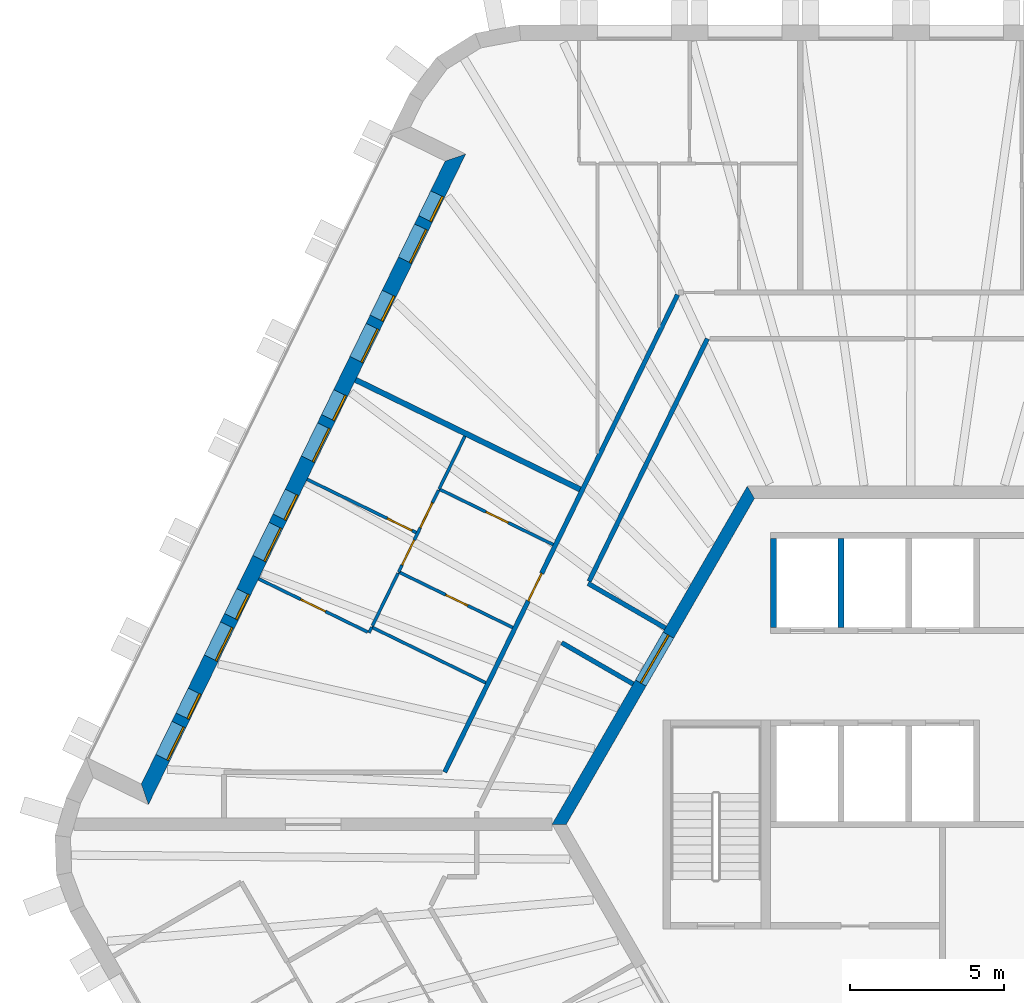
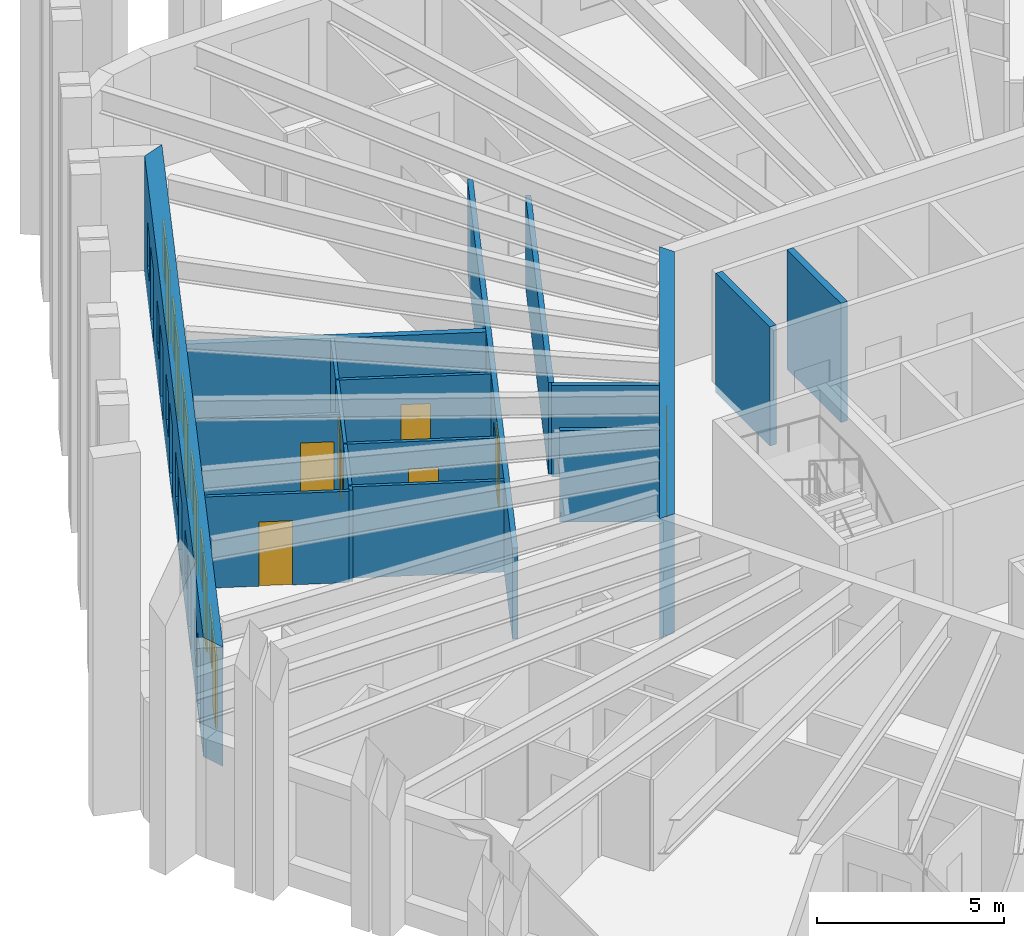
# One storey, part 8 of 13: 18 walls, 14 doors, 6 windows, 20 openings.
"""IFC4 building model written with IfcOpenShell, lengths in metres."""

from ifc_helpers import new_model, si_unit, direction, frame, frame_2d, origin, place, context, subcontext, project, spatial, polyline, rectangle, outline, extrude, material, layer, layer_set, type_object, element, fill, save


model = new_model("IFC4")

# Units and contexts
model_context = context("Model", 3, precision=1e-05, world=origin(), true_north=direction((0.0, 1.0)))
body_context = subcontext(model_context, "Body", "Model", "MODEL_VIEW")
ifc_project = project(units=[si_unit("LENGTHUNIT", "METRE"), si_unit("AREAUNIT", "SQUARE_METRE"), si_unit("VOLUMEUNIT", "CUBIC_METRE"), si_unit("PLANEANGLEUNIT", "RADIAN"), si_unit("MASSUNIT", "GRAM", prefix="KILO")], contexts=[model_context])

# Site, building, storey
site_placement = place(None, origin())
site = spatial("IfcSite", under=ifc_project, at=site_placement, CompositionType="ELEMENT")
building_placement = place(site_placement, origin())
building = spatial("IfcBuilding", under=site, at=building_placement, Name="Tarnside Tower", CompositionType="ELEMENT")
storey_placement = place(building_placement, frame((0.0, 0.0, 279.60009765625)))
storey = spatial("IfcBuildingStorey", under=building, at=storey_placement, Name="L67", CompositionType="ELEMENT", Elevation=279.60009765625)

# Wall
ifc_material_1 = material(Name="Gypsum board partition on steel studs", Category="steel")
ifc_layer_1 = layer(ifc_material_1, 0.10009765625)
ifc_layer_set_1 = layer_set([ifc_layer_1], Name="Bathroom wall 100")
wall_type_1 = type_object("IfcWallType", Name="Bathroom wall 100", PredefinedType="PARTITIONING", material=ifc_layer_set_1)
wall_1_placement = place(storey_placement, frame((-14.860107421875, 4.60498046875, 0.0), z_axis=(0.0, 0.0, 1.0), x_axis=(-0.898787215731, 0.438385151252, 0.0)))
element("IfcWall", 1, at=wall_1_placement, inside=storey, type_object=wall_type_1, Name="Bathroom wall 22109", PredefinedType="PARTITIONING", context=body_context, shape_type="SweptSolid", body=[
    extrude(rectangle(XDim=4.125, YDim=0.10009765625, at=frame_2d((2.0625, 0.0))), origin(), (0.0, 0.0, 1.0), 2.98779296875),
])

# Wall, opening, door
wall_2_placement = place(storey_placement, frame((-12.66845703125, 9.09912109375, 0.0), z_axis=(0.0, 0.0, 1.0), x_axis=(-0.898810534939, 0.438337338454, 0.0)))
wall_2 = element("IfcWall", 2, at=wall_2_placement, inside=storey, type_object=wall_type_1, Name="Bathroom wall 22110", PredefinedType="PARTITIONING", context=body_context, shape_type="SweptSolid", body=[
    extrude(rectangle(XDim=4.125, YDim=0.10009765625, at=frame_2d((2.0625, 0.0))), origin(), (0.0, 0.0, 1.0), 2.98779296875),
])
opening_1_placement = place(wall_2_placement, frame((1.625, 0.0, 0.0)))
opening_1 = element("IfcOpeningElement", 3, at=opening_1_placement, cuts=wall_2, Name="Opening D-B1", PredefinedType="OPENING", context=body_context, shape_type="SweptSolid", body=[
    extrude(rectangle(XDim=0.800048828125, YDim=2.10009765625, at=frame_2d((0.39990234375, 1.050048828125))), frame((0.0, 0.06005859375, 0.0), z_axis=(0.0, -1.0, 0.0), x_axis=(1.0, 0.0, 0.0)), (0.0, 0.0, 1.0), 0.1201171875),
])
ifc_material_2 = material(Name="Timber door leaf", Category="wood")
door_type_1 = type_object("IfcDoorType", Name="Bathroom door 800", OperationType="NOTDEFINED", PredefinedType="DOOR", material=ifc_material_2)
door_1_placement = place(opening_1_placement, origin())
door_1 = element("IfcDoor", 4, at=door_1_placement, inside=storey, type_object=door_type_1, Name="Bathroom door 22022", OperationType="SINGLE_SWING_RIGHT", OverallHeight=2.10009765625, OverallWidth=0.800048828125, PredefinedType="DOOR", context=body_context, shape_type="SweptSolid", body=[
    extrude(rectangle(XDim=0.800048828125, YDim=2.10009765625, at=frame_2d((0.39990234375, 1.050048828125))), frame((0.0, 0.02490234375, 0.0), z_axis=(0.0, -1.0, 0.0), x_axis=(1.0, 0.0, 0.0)), (0.0, 0.0, 1.0), 0.050048828125),
])
fill(opening_1, door_1)

wall_3_placement = place(storey_placement, frame((-17.69091796875, 8.2109375, 0.0), z_axis=(0.0, 0.0, 1.0), x_axis=(0.898787215731, -0.438385151252, 0.0)))
wall_3 = element("IfcWall", 5, at=wall_3_placement, inside=storey, type_object=wall_type_1, Name="Bathroom wall 22113", PredefinedType="PARTITIONING", context=body_context, shape_type="SweptSolid", body=[
    extrude(rectangle(XDim=4.125, YDim=0.10009765625, at=frame_2d((2.0625, 0.0))), origin(), (0.0, 0.0, 1.0), 2.98779296875),
])
opening_2_placement = place(wall_3_placement, frame((1.699951171875, 0.0, 0.0)))
opening_2 = element("IfcOpeningElement", 6, at=opening_2_placement, cuts=wall_3, Name="Opening D-B1", PredefinedType="OPENING", context=body_context, shape_type="SweptSolid", body=[
    extrude(rectangle(XDim=0.800048828125, YDim=2.10009765625, at=frame_2d((0.39990234375, 1.050048828125))), frame((0.0, 0.06005859375, 0.0), z_axis=(0.0, -1.0, 0.0), x_axis=(1.0, 0.0, 0.0)), (0.0, 0.0, 1.0), 0.1201171875),
])
door_2_placement = place(opening_2_placement, origin())
door_2 = element("IfcDoor", 7, at=door_2_placement, inside=storey, type_object=door_type_1, Name="Bathroom door 22029", OperationType="SINGLE_SWING_LEFT", OverallHeight=2.10009765625, OverallWidth=0.800048828125, PredefinedType="DOOR", context=body_context, shape_type="SweptSolid", body=[
    extrude(rectangle(XDim=0.800048828125, YDim=2.10009765625, at=frame_2d((0.39990234375, 1.050048828125))), frame((0.0, 0.02490234375, 0.0), z_axis=(0.0, -1.0, 0.0), x_axis=(1.0, 0.0, 0.0)), (0.0, 0.0, 1.0), 0.050048828125),
])
fill(opening_2, door_2)

# Walls
wall_4_placement = place(storey_placement, frame((-15.53857421875, 12.6240234375, 0.0), z_axis=(0.0, 0.0, 1.0), x_axis=(-0.438355705964, -0.898801577128, 0.0)))
element("IfcWall", 8, at=wall_4_placement, inside=storey, type_object=wall_type_1, Name="Bathroom wall 22114", PredefinedType="PARTITIONING", context=body_context, shape_type="SweptSolid", body=[
    extrude(rectangle(XDim=1.912109375, YDim=0.10009765625, at=frame_2d((0.9560546875, 0.0))), origin(), (0.0, 0.0, 1.0), 2.98779296875),
])
wall_5_placement = place(storey_placement, frame((-18.5458984375, 6.458251953125, 0.0), z_axis=(0.0, 0.0, 1.0), x_axis=(0.43840337997, 0.898778324411, 0.0)))
element("IfcWall", 9, at=wall_5_placement, inside=storey, type_object=wall_type_1, Name="Bathroom wall 22116", PredefinedType="PARTITIONING", context=body_context, shape_type="SweptSolid", body=[
    extrude(rectangle(XDim=1.900146484375, YDim=0.10009765625, at=frame_2d((0.9501953125, 0.0))), origin(), (0.0, 0.0, 1.0), 2.98779296875),
])

# Wall, opening, door
ifc_material_3 = material(Name="Concrete C60/75", Category="concrete")
ifc_layer_2 = layer(ifc_material_3, 0.39990234375)
ifc_layer_set_2 = layer_set([ifc_layer_2], Name="Core wall Z3 400 C60/75")
wall_type_2 = type_object("IfcWallType", Name="Core wall Z3 400 C60/75", PredefinedType="SHEAR", material=ifc_layer_set_2)
wall_6_placement = place(storey_placement, frame((-6.2353515625, 10.800048828125, -0.150146484375), z_axis=(0.0, 0.0, 1.0), x_axis=(-0.499996419489, -0.866027470984, 0.0)))
wall_6 = element("IfcWall", 10, at=wall_6_placement, inside=storey, type_object=wall_type_2, Name="L67 core wall face 2", PredefinedType="SHEAR", context=body_context, shape_type="SweptSolid", body=[
    extrude(outline(polyline([(-0.115478515625, -0.199951171875), (12.586181640625, -0.199951171875), (12.355224609375, 0.199951171875), (0.115478515625, 0.199951171875), (-0.115478515625, -0.199951171875)])), origin(), (0.0, 0.0, 1.0), 3.900146484375),
])
opening_3_placement = place(wall_6_placement, frame((5.3642578125, 0.0, 0.14990234375)))
opening_3 = element("IfcOpeningElement", 11, at=opening_3_placement, cuts=wall_6, Name="Opening CD-LOB", PredefinedType="OPENING", context=body_context, shape_type="SweptSolid", body=[
    extrude(rectangle(XDim=1.800048828125, YDim=2.39990234375, at=frame_2d((0.89990234375, 1.199951171875))), frame((0.0, 0.2099609375, 0.0), z_axis=(0.0, -1.0, 0.0), x_axis=(1.0, 0.0, 0.0)), (0.0, 0.0, 1.0), 0.419921875),
])
ifc_material_4 = material(Name="Steel fire door", Category="steel")
door_type_2 = type_object("IfcDoorType", Name="Lobby double door FD30S 1800x2400", OperationType="NOTDEFINED", PredefinedType="DOOR", material=ifc_material_4)
door_3_placement = place(opening_3_placement, origin())
door_3 = element("IfcDoor", 12, at=door_3_placement, inside=storey, type_object=door_type_2, Name="L67 core door P1", OperationType="DOUBLE_DOOR_SINGLE_SWING", OverallHeight=2.39990234375, OverallWidth=1.800048828125, PredefinedType="DOOR", context=body_context, shape_type="SweptSolid", body=[
    extrude(rectangle(XDim=1.800048828125, YDim=2.39990234375, at=frame_2d((0.89990234375, 1.199951171875))), frame((0.0, 0.02490234375, 0.0), z_axis=(0.0, -1.0, 0.0), x_axis=(1.0, 0.0, 0.0)), (0.0, 0.0, 1.0), 0.050048828125),
])
fill(opening_3, door_3)

ifc_layer_3 = layer(ifc_material_1, 0.14990234375)
ifc_layer_set_3 = layer_set([ifc_layer_3], Name="Corridor wall 150 EI 60")
wall_type_3 = type_object("IfcWallType", Name="Corridor wall 150 EI 60", PredefinedType="PARTITIONING", material=ifc_layer_set_3)
wall_7_placement = place(storey_placement, frame((-8.62158203125, 17.22509765625, 0.0), z_axis=(0.0, 0.0, 1.0), x_axis=(-0.438366544921, -0.898796290765, 0.0)))
wall_7 = element("IfcWall", 13, at=wall_7_placement, inside=storey, type_object=wall_type_3, Name="Corridor wall 22009", PredefinedType="PARTITIONING", context=body_context, shape_type="SweptSolid", body=[
    extrude(rectangle(XDim=17.273193359375, YDim=0.14990234375, at=frame_2d((8.63671875, 0.0))), origin(), (0.0, 0.0, 1.0), 2.98779296875),
])
opening_4_placement = place(wall_7_placement, frame((10.07763671875, 0.0, 0.0)))
opening_4 = element("IfcOpeningElement", 14, at=opening_4_placement, cuts=wall_7, Name="Opening D-E1", PredefinedType="OPENING", context=body_context, shape_type="SweptSolid", body=[
    extrude(rectangle(XDim=1.0, YDim=2.10009765625, at=frame_2d((0.5, 1.050048828125))), frame((0.0, 0.0849609375, 0.0), z_axis=(0.0, -1.0, 0.0), x_axis=(1.0, 0.0, 0.0)), (0.0, 0.0, 1.0), 0.169921875),
])
door_type_3 = type_object("IfcDoorType", Name="Unit entrance door 1000 FD30S", OperationType="NOTDEFINED", PredefinedType="DOOR", material=ifc_material_2)
door_4_placement = place(opening_4_placement, origin())
door_4 = element("IfcDoor", 15, at=door_4_placement, inside=storey, type_object=door_type_3, Name="Unit door 22021", OperationType="SINGLE_SWING_LEFT", OverallHeight=2.10009765625, OverallWidth=1.0, PredefinedType="DOOR", context=body_context, shape_type="SweptSolid", body=[
    extrude(rectangle(XDim=1.0, YDim=2.10009765625, at=frame_2d((0.5, 1.050048828125))), frame((0.0, 0.02490234375, 0.0), z_axis=(0.0, -1.0, 0.0), x_axis=(1.0, 0.0, 0.0)), (0.0, 0.0, 1.0), 0.050048828125),
])
fill(opening_4, door_4)

# Walls
wall_8_placement = place(storey_placement, frame((-9.015625, 6.38427734375, 0.0), z_axis=(0.0, 0.0, 1.0), x_axis=(-0.866010648346, 0.500025556299, 0.0)))
element("IfcWall", 16, at=wall_8_placement, inside=storey, type_object=wall_type_3, Name="Corridor wall 22020", PredefinedType="PARTITIONING", context=body_context, shape_type="SweptSolid", body=[
    extrude(rectangle(XDim=2.905029296875, YDim=0.14990234375, at=frame_2d((1.45263671875, 0.0))), origin(), (0.0, 0.0, 1.0), 2.98779296875),
])
wall_9_placement = place(storey_placement, frame((-11.49853515625, 7.904541015625, 0.0), z_axis=(0.0, 0.0, 1.0), x_axis=(0.438365041944, 0.898797023805, 0.0)))
element("IfcWall", 17, at=wall_9_placement, inside=storey, type_object=wall_type_3, Name="Corridor wall 22021", PredefinedType="PARTITIONING", context=body_context, shape_type="SweptSolid", body=[
    extrude(rectangle(XDim=8.784423828125, YDim=0.14990234375, at=frame_2d((4.39208984375, 0.0))), origin(), (0.0, 0.0, 1.0), 2.98779296875),
])
wall_10_placement = place(storey_placement, frame((-12.389404296875, 5.9072265625, 0.0), z_axis=(0.0, 0.0, 1.0), x_axis=(0.866034066097, -0.499984996134, 0.0)))
element("IfcWall", 18, at=wall_10_placement, inside=storey, type_object=wall_type_3, Name="Corridor wall 22028", PredefinedType="PARTITIONING", context=body_context, shape_type="SweptSolid", body=[
    extrude(rectangle(XDim=2.68310546875, YDim=0.14990234375, at=frame_2d((1.341552734375, 0.0))), origin(), (0.0, 0.0, 1.0), 2.98779296875),
])
ifc_layer_4 = layer(ifc_material_1, 0.179931640625)
ifc_layer_set_4 = layer_set([ifc_layer_4], Name="Demising wall 180 EI 60")
wall_type_4 = type_object("IfcWallType", Name="Demising wall 180 EI 60", PredefinedType="PARTITIONING", material=ifc_layer_set_4)
wall_11_placement = place(storey_placement, frame((-19.09423828125, 14.45849609375, 0.0), z_axis=(0.0, 0.0, 1.0), x_axis=(0.898794723364, -0.438369758597, 0.0)))
element("IfcWall", 19, at=wall_11_placement, inside=storey, type_object=wall_type_4, Name="Demising wall 22098", PredefinedType="PARTITIONING", context=body_context, shape_type="SweptSolid", body=[
    extrude(rectangle(XDim=8.125, YDim=0.179931640625, at=frame_2d((4.0625, 0.0))), origin(), (0.0, 0.0, 1.0), 2.98779296875),
])
ifc_material_5 = material(Name="Concrete C40/50", Category="concrete")
ifc_layer_5 = layer(ifc_material_5, 0.199951171875)
ifc_layer_set_5 = layer_set([ifc_layer_5], Name="Lift shaft wall 200 C40/50")
wall_type_5 = type_object("IfcWallType", Name="Lift shaft wall 200 C40/50", PredefinedType="SHEAR", material=ifc_layer_set_5)
for number, where, z_axis, x_axis, name in (
    (20, (-5.5, 6.39990234375, -0.25), (0.0, 0.0, 1.0), (0.0, 1.0, 0.0), "L67 lift shaft partition R11"),
    (21, (-3.300048828125, 6.39990234375, -0.25), (0.0, 0.0, 1.0), (0.0, 1.0, 0.0), "L67 lift shaft partition R12"),
):
    element("IfcWall", number, at=place(storey_placement, frame(where, z_axis=z_axis, x_axis=x_axis)), inside=storey, type_object=wall_type_5, Name=name, PredefinedType="SHEAR", context=body_context, shape_type="SweptSolid", body=[
        extrude(rectangle(XDim=2.900146484375, YDim=0.199951171875, at=frame_2d((1.4501953125, 0.0))), origin(), (0.0, 0.0, 1.0), 3.89990234375),
    ])

# Wall, openings, doors, windows
ifc_material_6 = material(Name="Dark zinc cladding")
ifc_layer_6 = layer(ifc_material_6, 0.10205078125)
ifc_material_7 = material(Name="Concrete C60/75 precast", Category="concrete")
ifc_layer_7 = layer(ifc_material_7, 0.298095703125)
ifc_material_8 = material(Name="Mineral wool insulation")
ifc_layer_8 = layer(ifc_material_8, 0.10009765625)
ifc_layer_set_6 = layer_set([ifc_layer_6, ifc_layer_7, ifc_layer_8], Name="Loggia wall 500 zinc faced")
wall_type_6 = type_object("IfcWallType", Name="Loggia wall 500 zinc faced", PredefinedType="SOLIDWALL", material=ifc_layer_set_6)
wall_12_placement = place(storey_placement, frame((-15.845947265625, 21.6884765625, -0.150146484375), z_axis=(0.0, 0.0, 1.0), x_axis=(-0.438377502627, -0.898790946322, 0.0)))
wall_12 = element("IfcWall", 22, at=wall_12_placement, inside=storey, type_object=wall_type_6, Name="Tube wall L67 F2 back 06", PredefinedType="SOLIDWALL", context=body_context, shape_type="SweptSolid", body=[
    extrude(outline(polyline([(0.25, -0.25), (22.794677734375, -0.25), (23.294677734375, 0.25), (-0.25, 0.25), (0.25, -0.25)])), origin(), (0.0, 0.0, 1.0), 3.900146484375),
])
opening_5_placement = place(wall_12_placement, frame((1.322509765625, 0.0, 1.050048828125)))
opening_5 = element("IfcOpeningElement", 23, at=opening_5_placement, cuts=wall_12, Name="Opening WL500", PredefinedType="OPENING", context=body_context, shape_type="SweptSolid", body=[
    extrude(rectangle(XDim=0.89990234375, YDim=1.5, at=frame_2d((0.449951171875, 0.75))), frame((0.0, 0.260009765625, 0.0), z_axis=(0.0, -1.0, 0.0), x_axis=(1.0, 0.0, 0.0)), (0.0, 0.0, 1.0), 0.52001953125),
])
opening_6_placement = place(wall_12_placement, frame((2.5224609375, 0.0, 0.14990234375)))
opening_6 = element("IfcOpeningElement", 24, at=opening_6_placement, cuts=wall_12, Name="Opening DB500", PredefinedType="OPENING", context=body_context, shape_type="SweptSolid", body=[
    extrude(rectangle(XDim=1.199951171875, YDim=2.39990234375, at=frame_2d((0.60009765625, 1.199951171875))), frame((0.0, 0.260009765625, 0.0), z_axis=(0.0, -1.0, 0.0), x_axis=(1.0, 0.0, 0.0)), (0.0, 0.0, 1.0), 0.52001953125),
])
opening_7_placement = place(wall_12_placement, frame((4.92236328125, 0.0, 1.050048828125)))
opening_7 = element("IfcOpeningElement", 25, at=opening_7_placement, cuts=wall_12, Name="Opening WL500", PredefinedType="OPENING", context=body_context, shape_type="SweptSolid", body=[
    extrude(rectangle(XDim=0.89990234375, YDim=1.5, at=frame_2d((0.449951171875, 0.75))), frame((0.0, 0.260009765625, 0.0), z_axis=(0.0, -1.0, 0.0), x_axis=(1.0, 0.0, 0.0)), (0.0, 0.0, 1.0), 0.52001953125),
])
opening_8_placement = place(wall_12_placement, frame((6.122314453125, 0.0, 0.14990234375)))
opening_8 = element("IfcOpeningElement", 26, at=opening_8_placement, cuts=wall_12, Name="Opening DB500", PredefinedType="OPENING", context=body_context, shape_type="SweptSolid", body=[
    extrude(rectangle(XDim=1.199951171875, YDim=2.39990234375, at=frame_2d((0.60009765625, 1.199951171875))), frame((0.0, 0.260009765625, 0.0), z_axis=(0.0, -1.0, 0.0), x_axis=(1.0, 0.0, 0.0)), (0.0, 0.0, 1.0), 0.52001953125),
])
opening_9_placement = place(wall_12_placement, frame((8.5224609375, 0.0, 1.050048828125)))
opening_9 = element("IfcOpeningElement", 27, at=opening_9_placement, cuts=wall_12, Name="Opening WL500", PredefinedType="OPENING", context=body_context, shape_type="SweptSolid", body=[
    extrude(rectangle(XDim=0.89990234375, YDim=1.5, at=frame_2d((0.449951171875, 0.75))), frame((0.0, 0.260009765625, 0.0), z_axis=(0.0, -1.0, 0.0), x_axis=(1.0, 0.0, 0.0)), (0.0, 0.0, 1.0), 0.52001953125),
])
opening_10_placement = place(wall_12_placement, frame((9.722412109375, 0.0, 0.14990234375)))
opening_10 = element("IfcOpeningElement", 28, at=opening_10_placement, cuts=wall_12, Name="Opening DB500", PredefinedType="OPENING", context=body_context, shape_type="SweptSolid", body=[
    extrude(rectangle(XDim=1.199951171875, YDim=2.39990234375, at=frame_2d((0.60009765625, 1.199951171875))), frame((0.0, 0.260009765625, 0.0), z_axis=(0.0, -1.0, 0.0), x_axis=(1.0, 0.0, 0.0)), (0.0, 0.0, 1.0), 0.52001953125),
])
opening_11_placement = place(wall_12_placement, frame((12.122314453125, 0.0, 1.050048828125)))
opening_11 = element("IfcOpeningElement", 29, at=opening_11_placement, cuts=wall_12, Name="Opening WL500", PredefinedType="OPENING", context=body_context, shape_type="SweptSolid", body=[
    extrude(rectangle(XDim=0.89990234375, YDim=1.5, at=frame_2d((0.449951171875, 0.75))), frame((0.0, 0.260009765625, 0.0), z_axis=(0.0, -1.0, 0.0), x_axis=(1.0, 0.0, 0.0)), (0.0, 0.0, 1.0), 0.52001953125),
])
opening_12_placement = place(wall_12_placement, frame((13.322509765625, 0.0, 0.14990234375)))
opening_12 = element("IfcOpeningElement", 30, at=opening_12_placement, cuts=wall_12, Name="Opening DB500", PredefinedType="OPENING", context=body_context, shape_type="SweptSolid", body=[
    extrude(rectangle(XDim=1.199951171875, YDim=2.39990234375, at=frame_2d((0.60009765625, 1.199951171875))), frame((0.0, 0.260009765625, 0.0), z_axis=(0.0, -1.0, 0.0), x_axis=(1.0, 0.0, 0.0)), (0.0, 0.0, 1.0), 0.52001953125),
])
opening_13_placement = place(wall_12_placement, frame((15.722412109375, 0.0, 1.050048828125)))
opening_13 = element("IfcOpeningElement", 31, at=opening_13_placement, cuts=wall_12, Name="Opening WL500", PredefinedType="OPENING", context=body_context, shape_type="SweptSolid", body=[
    extrude(rectangle(XDim=0.89990234375, YDim=1.5, at=frame_2d((0.449951171875, 0.75))), frame((0.0, 0.260009765625, 0.0), z_axis=(0.0, -1.0, 0.0), x_axis=(1.0, 0.0, 0.0)), (0.0, 0.0, 1.0), 0.52001953125),
])
opening_14_placement = place(wall_12_placement, frame((16.92236328125, 0.0, 0.14990234375)))
opening_14 = element("IfcOpeningElement", 32, at=opening_14_placement, cuts=wall_12, Name="Opening DB500", PredefinedType="OPENING", context=body_context, shape_type="SweptSolid", body=[
    extrude(rectangle(XDim=1.199951171875, YDim=2.39990234375, at=frame_2d((0.60009765625, 1.199951171875))), frame((0.0, 0.260009765625, 0.0), z_axis=(0.0, -1.0, 0.0), x_axis=(1.0, 0.0, 0.0)), (0.0, 0.0, 1.0), 0.52001953125),
])
opening_15_placement = place(wall_12_placement, frame((19.322509765625, 0.0, 1.050048828125)))
opening_15 = element("IfcOpeningElement", 33, at=opening_15_placement, cuts=wall_12, Name="Opening WL500", PredefinedType="OPENING", context=body_context, shape_type="SweptSolid", body=[
    extrude(rectangle(XDim=0.89990234375, YDim=1.5, at=frame_2d((0.449951171875, 0.75))), frame((0.0, 0.260009765625, 0.0), z_axis=(0.0, -1.0, 0.0), x_axis=(1.0, 0.0, 0.0)), (0.0, 0.0, 1.0), 0.52001953125),
])
opening_16_placement = place(wall_12_placement, frame((20.5224609375, 0.0, 0.14990234375)))
opening_16 = element("IfcOpeningElement", 34, at=opening_16_placement, cuts=wall_12, Name="Opening DB500", PredefinedType="OPENING", context=body_context, shape_type="SweptSolid", body=[
    extrude(rectangle(XDim=1.199951171875, YDim=2.39990234375, at=frame_2d((0.60009765625, 1.199951171875))), frame((0.0, 0.260009765625, 0.0), z_axis=(0.0, -1.0, 0.0), x_axis=(1.0, 0.0, 0.0)), (0.0, 0.0, 1.0), 0.52001953125),
])
ifc_material_9 = material(Name="Aluminium-framed double glazing", Category="aluminium")
door_type_4 = type_object("IfcDoorType", Name="Balcony sliding door 1200 x 2400 in 500 wall", OperationType="SLIDING_TO_LEFT", PredefinedType="DOOR", material=ifc_material_9)
door_5_placement = place(opening_6_placement, frame((0.0, 0.1748046875, 0.0)))
door_5 = element("IfcDoor", 35, at=door_5_placement, inside=storey, type_object=door_type_4, Name="E.BD.L67.F2.00", OperationType="SLIDING_TO_LEFT", OverallHeight=2.39990234375, OverallWidth=1.199951171875, PredefinedType="DOOR", context=body_context, shape_type="SweptSolid", body=[
    extrude(rectangle(XDim=1.199951171875, YDim=2.39990234375, at=frame_2d((0.60009765625, 1.199951171875))), frame((0.0, 0.02490234375, 0.0), z_axis=(0.0, -1.0, 0.0), x_axis=(1.0, 0.0, 0.0)), (0.0, 0.0, 1.0), 0.050048828125),
])
fill(opening_6, door_5)
door_6_placement = place(opening_8_placement, frame((0.0, 0.1748046875, 0.0)))
door_6 = element("IfcDoor", 36, at=door_6_placement, inside=storey, type_object=door_type_4, Name="E.BD.L67.F2.01", OperationType="SLIDING_TO_LEFT", OverallHeight=2.39990234375, OverallWidth=1.199951171875, PredefinedType="DOOR", context=body_context, shape_type="SweptSolid", body=[
    extrude(rectangle(XDim=1.199951171875, YDim=2.39990234375, at=frame_2d((0.60009765625, 1.199951171875))), frame((0.0, 0.02490234375, 0.0), z_axis=(0.0, -1.0, 0.0), x_axis=(1.0, 0.0, 0.0)), (0.0, 0.0, 1.0), 0.050048828125),
])
fill(opening_8, door_6)
door_7_placement = place(opening_10_placement, frame((0.0, 0.1748046875, 0.0)))
door_7 = element("IfcDoor", 37, at=door_7_placement, inside=storey, type_object=door_type_4, Name="E.BD.L67.F2.02", OperationType="SLIDING_TO_LEFT", OverallHeight=2.39990234375, OverallWidth=1.199951171875, PredefinedType="DOOR", context=body_context, shape_type="SweptSolid", body=[
    extrude(rectangle(XDim=1.199951171875, YDim=2.39990234375, at=frame_2d((0.60009765625, 1.199951171875))), frame((0.0, 0.02490234375, 0.0), z_axis=(0.0, -1.0, 0.0), x_axis=(1.0, 0.0, 0.0)), (0.0, 0.0, 1.0), 0.050048828125),
])
fill(opening_10, door_7)
door_8_placement = place(opening_12_placement, frame((0.0, 0.1748046875, 0.0)))
door_8 = element("IfcDoor", 38, at=door_8_placement, inside=storey, type_object=door_type_4, Name="E.BD.L67.F2.03", OperationType="SLIDING_TO_LEFT", OverallHeight=2.39990234375, OverallWidth=1.199951171875, PredefinedType="DOOR", context=body_context, shape_type="SweptSolid", body=[
    extrude(rectangle(XDim=1.199951171875, YDim=2.39990234375, at=frame_2d((0.60009765625, 1.199951171875))), frame((0.0, 0.02490234375, 0.0), z_axis=(0.0, -1.0, 0.0), x_axis=(1.0, 0.0, 0.0)), (0.0, 0.0, 1.0), 0.050048828125),
])
fill(opening_12, door_8)
door_9_placement = place(opening_14_placement, frame((0.0, 0.1748046875, 0.0)))
door_9 = element("IfcDoor", 39, at=door_9_placement, inside=storey, type_object=door_type_4, Name="E.BD.L67.F2.04", OperationType="SLIDING_TO_LEFT", OverallHeight=2.39990234375, OverallWidth=1.199951171875, PredefinedType="DOOR", context=body_context, shape_type="SweptSolid", body=[
    extrude(rectangle(XDim=1.199951171875, YDim=2.39990234375, at=frame_2d((0.60009765625, 1.199951171875))), frame((0.0, 0.02490234375, 0.0), z_axis=(0.0, -1.0, 0.0), x_axis=(1.0, 0.0, 0.0)), (0.0, 0.0, 1.0), 0.050048828125),
])
fill(opening_14, door_9)
door_10_placement = place(opening_16_placement, frame((0.0, 0.1748046875, 0.0)))
door_10 = element("IfcDoor", 40, at=door_10_placement, inside=storey, type_object=door_type_4, Name="E.BD.L67.F2.05", OperationType="SLIDING_TO_LEFT", OverallHeight=2.39990234375, OverallWidth=1.199951171875, PredefinedType="DOOR", context=body_context, shape_type="SweptSolid", body=[
    extrude(rectangle(XDim=1.199951171875, YDim=2.39990234375, at=frame_2d((0.60009765625, 1.199951171875))), frame((0.0, 0.02490234375, 0.0), z_axis=(0.0, -1.0, 0.0), x_axis=(1.0, 0.0, 0.0)), (0.0, 0.0, 1.0), 0.050048828125),
])
fill(opening_16, door_10)
window_type = type_object("IfcWindowType", Name="Loggia window 900 x 1500 in 500 wall", PartitioningType="SINGLE_PANEL", PredefinedType="WINDOW", material=ifc_material_9)
window_1_placement = place(opening_5_placement, frame((0.0, 0.179931640625, 0.0)))
window_1 = element("IfcWindow", 41, at=window_1_placement, inside=storey, type_object=window_type, Name="E.LW.L67.F2.00", OverallHeight=1.5, OverallWidth=0.89990234375, PartitioningType="SINGLE_PANEL", PredefinedType="WINDOW", context=body_context, shape_type="SweptSolid", body=[
    extrude(rectangle(XDim=0.89990234375, YDim=1.5, at=frame_2d((0.449951171875, 0.75))), frame((0.0, 0.030029296875, 0.0), z_axis=(0.0, -1.0, 0.0), x_axis=(1.0, 0.0, 0.0)), (0.0, 0.0, 1.0), 0.06005859375),
])
fill(opening_5, window_1)
window_2_placement = place(opening_7_placement, frame((0.0, 0.179931640625, 0.0)))
window_2 = element("IfcWindow", 42, at=window_2_placement, inside=storey, type_object=window_type, Name="E.LW.L67.F2.01", OverallHeight=1.5, OverallWidth=0.89990234375, PartitioningType="SINGLE_PANEL", PredefinedType="WINDOW", context=body_context, shape_type="SweptSolid", body=[
    extrude(rectangle(XDim=0.89990234375, YDim=1.5, at=frame_2d((0.449951171875, 0.75))), frame((0.0, 0.030029296875, 0.0), z_axis=(0.0, -1.0, 0.0), x_axis=(1.0, 0.0, 0.0)), (0.0, 0.0, 1.0), 0.06005859375),
])
fill(opening_7, window_2)
window_3_placement = place(opening_9_placement, frame((0.0, 0.179931640625, 0.0)))
window_3 = element("IfcWindow", 43, at=window_3_placement, inside=storey, type_object=window_type, Name="E.LW.L67.F2.02", OverallHeight=1.5, OverallWidth=0.89990234375, PartitioningType="SINGLE_PANEL", PredefinedType="WINDOW", context=body_context, shape_type="SweptSolid", body=[
    extrude(rectangle(XDim=0.89990234375, YDim=1.5, at=frame_2d((0.449951171875, 0.75))), frame((0.0, 0.030029296875, 0.0), z_axis=(0.0, -1.0, 0.0), x_axis=(1.0, 0.0, 0.0)), (0.0, 0.0, 1.0), 0.06005859375),
])
fill(opening_9, window_3)
window_4_placement = place(opening_11_placement, frame((0.0, 0.179931640625, 0.0)))
window_4 = element("IfcWindow", 44, at=window_4_placement, inside=storey, type_object=window_type, Name="E.LW.L67.F2.03", OverallHeight=1.5, OverallWidth=0.89990234375, PartitioningType="SINGLE_PANEL", PredefinedType="WINDOW", context=body_context, shape_type="SweptSolid", body=[
    extrude(rectangle(XDim=0.89990234375, YDim=1.5, at=frame_2d((0.449951171875, 0.75))), frame((0.0, 0.030029296875, 0.0), z_axis=(0.0, -1.0, 0.0), x_axis=(1.0, 0.0, 0.0)), (0.0, 0.0, 1.0), 0.06005859375),
])
fill(opening_11, window_4)
window_5_placement = place(opening_13_placement, frame((0.0, 0.179931640625, 0.0)))
window_5 = element("IfcWindow", 45, at=window_5_placement, inside=storey, type_object=window_type, Name="E.LW.L67.F2.04", OverallHeight=1.5, OverallWidth=0.89990234375, PartitioningType="SINGLE_PANEL", PredefinedType="WINDOW", context=body_context, shape_type="SweptSolid", body=[
    extrude(rectangle(XDim=0.89990234375, YDim=1.5, at=frame_2d((0.449951171875, 0.75))), frame((0.0, 0.030029296875, 0.0), z_axis=(0.0, -1.0, 0.0), x_axis=(1.0, 0.0, 0.0)), (0.0, 0.0, 1.0), 0.06005859375),
])
fill(opening_13, window_5)
window_6_placement = place(opening_15_placement, frame((0.0, 0.179931640625, 0.0)))
window_6 = element("IfcWindow", 46, at=window_6_placement, inside=storey, type_object=window_type, Name="E.LW.L67.F2.05", OverallHeight=1.5, OverallWidth=0.89990234375, PartitioningType="SINGLE_PANEL", PredefinedType="WINDOW", context=body_context, shape_type="SweptSolid", body=[
    extrude(rectangle(XDim=0.89990234375, YDim=1.5, at=frame_2d((0.449951171875, 0.75))), frame((0.0, 0.030029296875, 0.0), z_axis=(0.0, -1.0, 0.0), x_axis=(1.0, 0.0, 0.0)), (0.0, 0.0, 1.0), 0.06005859375),
])
fill(opening_15, window_6)

# Wall
ifc_layer_9 = layer(ifc_material_1, 0.10009765625)
ifc_layer_set_7 = layer_set([ifc_layer_9], Name="Partition 100")
wall_type_7 = type_object("IfcWallType", Name="Partition 100", PredefinedType="PARTITIONING", material=ifc_layer_set_7)
wall_13_placement = place(storey_placement, frame((-18.56689453125, 6.4150390625, 0.0), z_axis=(0.0, 0.0, 1.0), x_axis=(-0.438971536386, -0.898500968415, 0.0)))
element("IfcWall", 47, at=wall_13_placement, inside=storey, type_object=wall_type_7, Name="Partition wall 22107", PredefinedType="PARTITIONING", context=body_context, shape_type="SweptSolid", body=[
    extrude(rectangle(XDim=0.201904296875, YDim=0.10009765625, at=frame_2d((0.10107421875, 0.0))), origin(), (0.0, 0.0, 1.0), 2.98779296875),
])

# Wall, opening, door
wall_14_placement = place(storey_placement, frame((-18.700439453125, 6.255615234375, 0.0), z_axis=(0.0, 0.0, 1.0), x_axis=(-0.89879695829, 0.438365176273, 0.0)))
wall_14 = element("IfcWall", 48, at=wall_14_placement, inside=storey, type_object=wall_type_7, Name="Partition wall 22108", PredefinedType="PARTITIONING", context=body_context, shape_type="SweptSolid", body=[
    extrude(rectangle(XDim=3.94970703125, YDim=0.10009765625, at=frame_2d((1.974853515625, 0.0))), origin(), (0.0, 0.0, 1.0), 2.98779296875),
])
opening_17_placement = place(wall_14_placement, frame((1.52490234375, 0.0, 0.0)))
opening_17 = element("IfcOpeningElement", 49, at=opening_17_placement, cuts=wall_14, Name="Opening D-I1", PredefinedType="OPENING", context=body_context, shape_type="SweptSolid", body=[
    extrude(rectangle(XDim=0.89990234375, YDim=2.10009765625, at=frame_2d((0.449951171875, 1.050048828125))), frame((0.0, 0.06005859375, 0.0), z_axis=(0.0, -1.0, 0.0), x_axis=(1.0, 0.0, 0.0)), (0.0, 0.0, 1.0), 0.1201171875),
])
door_type_5 = type_object("IfcDoorType", Name="Internal door 900", OperationType="NOTDEFINED", PredefinedType="DOOR", material=ifc_material_2)
door_11_placement = place(opening_17_placement, origin())
door_11 = element("IfcDoor", 50, at=door_11_placement, inside=storey, type_object=door_type_5, Name="Internal door 22083", OperationType="SINGLE_SWING_RIGHT", OverallHeight=2.10009765625, OverallWidth=0.89990234375, PredefinedType="DOOR", context=body_context, shape_type="SweptSolid", body=[
    extrude(rectangle(XDim=0.89990234375, YDim=2.10009765625, at=frame_2d((0.449951171875, 1.050048828125))), frame((0.0, 0.02490234375, 0.0), z_axis=(0.0, -1.0, 0.0), x_axis=(1.0, 0.0, 0.0)), (0.0, 0.0, 1.0), 0.050048828125),
])
fill(opening_17, door_11)

# Wall, openings, doors
wall_15_placement = place(storey_placement, frame((-16.39697265625, 10.8642578125, 0.0), z_axis=(0.0, 0.0, 1.0), x_axis=(-0.438365010977, -0.898797038909, 0.0)))
wall_15 = element("IfcWall", 51, at=wall_15_placement, inside=storey, type_object=wall_type_7, Name="Partition wall 22111", PredefinedType="PARTITIONING", context=body_context, shape_type="SweptSolid", body=[
    extrude(rectangle(XDim=2.9541015625, YDim=0.10009765625, at=frame_2d((1.47705078125, 0.0))), origin(), (0.0, 0.0, 1.0), 2.98779296875),
])
opening_18_placement = place(wall_15_placement, frame((0.451904296875, 0.0, 0.0)))
opening_18 = element("IfcOpeningElement", 52, at=opening_18_placement, cuts=wall_15, Name="Opening D-I1", PredefinedType="OPENING", context=body_context, shape_type="SweptSolid", body=[
    extrude(rectangle(XDim=0.89990234375, YDim=2.10009765625, at=frame_2d((0.449951171875, 1.050048828125))), frame((0.0, 0.06005859375, 0.0), z_axis=(0.0, -1.0, 0.0), x_axis=(1.0, 0.0, 0.0)), (0.0, 0.0, 1.0), 0.1201171875),
])
opening_19_placement = place(wall_15_placement, frame((1.802001953125, 0.0, 0.0)))
opening_19 = element("IfcOpeningElement", 53, at=opening_19_placement, cuts=wall_15, Name="Opening D-I1", PredefinedType="OPENING", context=body_context, shape_type="SweptSolid", body=[
    extrude(rectangle(XDim=0.89990234375, YDim=2.10009765625, at=frame_2d((0.449951171875, 1.050048828125))), frame((0.0, 0.06005859375, 0.0), z_axis=(0.0, -1.0, 0.0), x_axis=(1.0, 0.0, 0.0)), (0.0, 0.0, 1.0), 0.1201171875),
])
door_12_placement = place(opening_18_placement, origin())
door_12 = element("IfcDoor", 54, at=door_12_placement, inside=storey, type_object=door_type_5, Name="Internal door 22024", OperationType="SINGLE_SWING_LEFT", OverallHeight=2.10009765625, OverallWidth=0.89990234375, PredefinedType="DOOR", context=body_context, shape_type="SweptSolid", body=[
    extrude(rectangle(XDim=0.89990234375, YDim=2.10009765625, at=frame_2d((0.449951171875, 1.050048828125))), frame((0.0, 0.02490234375, 0.0), z_axis=(0.0, -1.0, 0.0), x_axis=(1.0, 0.0, 0.0)), (0.0, 0.0, 1.0), 0.050048828125),
])
fill(opening_18, door_12)
door_13_placement = place(opening_19_placement, origin())
door_13 = element("IfcDoor", 55, at=door_13_placement, inside=storey, type_object=door_type_5, Name="Internal door 22028", OperationType="SINGLE_SWING_LEFT", OverallHeight=2.10009765625, OverallWidth=0.89990234375, PredefinedType="DOOR", context=body_context, shape_type="SweptSolid", body=[
    extrude(rectangle(XDim=0.89990234375, YDim=2.10009765625, at=frame_2d((0.449951171875, 1.050048828125))), frame((0.0, 0.02490234375, 0.0), z_axis=(0.0, -1.0, 0.0), x_axis=(1.0, 0.0, 0.0)), (0.0, 0.0, 1.0), 0.050048828125),
])
fill(opening_19, door_13)

# Wall, opening, door
wall_16_placement = place(storey_placement, frame((-20.67236328125, 11.22265625, 0.0), z_axis=(0.0, 0.0, 1.0), x_axis=(0.89879695829, -0.438365176273, 0.0)))
wall_16 = element("IfcWall", 56, at=wall_16_placement, inside=storey, type_object=wall_type_7, Name="Partition wall 22115", PredefinedType="PARTITIONING", context=body_context, shape_type="SweptSolid", body=[
    extrude(rectangle(XDim=3.94970703125, YDim=0.10009765625, at=frame_2d((1.974853515625, 0.0))), origin(), (0.0, 0.0, 1.0), 2.98779296875),
])
opening_20_placement = place(wall_16_placement, frame((2.89990234375, 0.0, 0.0)))
opening_20 = element("IfcOpeningElement", 57, at=opening_20_placement, cuts=wall_16, Name="Opening D-I1", PredefinedType="OPENING", context=body_context, shape_type="SweptSolid", body=[
    extrude(rectangle(XDim=0.89990234375, YDim=2.10009765625, at=frame_2d((0.449951171875, 1.050048828125))), frame((0.0, 0.06005859375, 0.0), z_axis=(0.0, -1.0, 0.0), x_axis=(1.0, 0.0, 0.0)), (0.0, 0.0, 1.0), 0.1201171875),
])
door_14_placement = place(opening_20_placement, origin())
door_14 = element("IfcDoor", 58, at=door_14_placement, inside=storey, type_object=door_type_5, Name="Internal door 22027", OperationType="SINGLE_SWING_RIGHT", OverallHeight=2.10009765625, OverallWidth=0.89990234375, PredefinedType="DOOR", context=body_context, shape_type="SweptSolid", body=[
    extrude(rectangle(XDim=0.89990234375, YDim=2.10009765625, at=frame_2d((0.449951171875, 1.050048828125))), frame((0.0, 0.02490234375, 0.0), z_axis=(0.0, -1.0, 0.0), x_axis=(1.0, 0.0, 0.0)), (0.0, 0.0, 1.0), 0.050048828125),
])
fill(opening_20, door_14)

save(model, "model.ifc")
